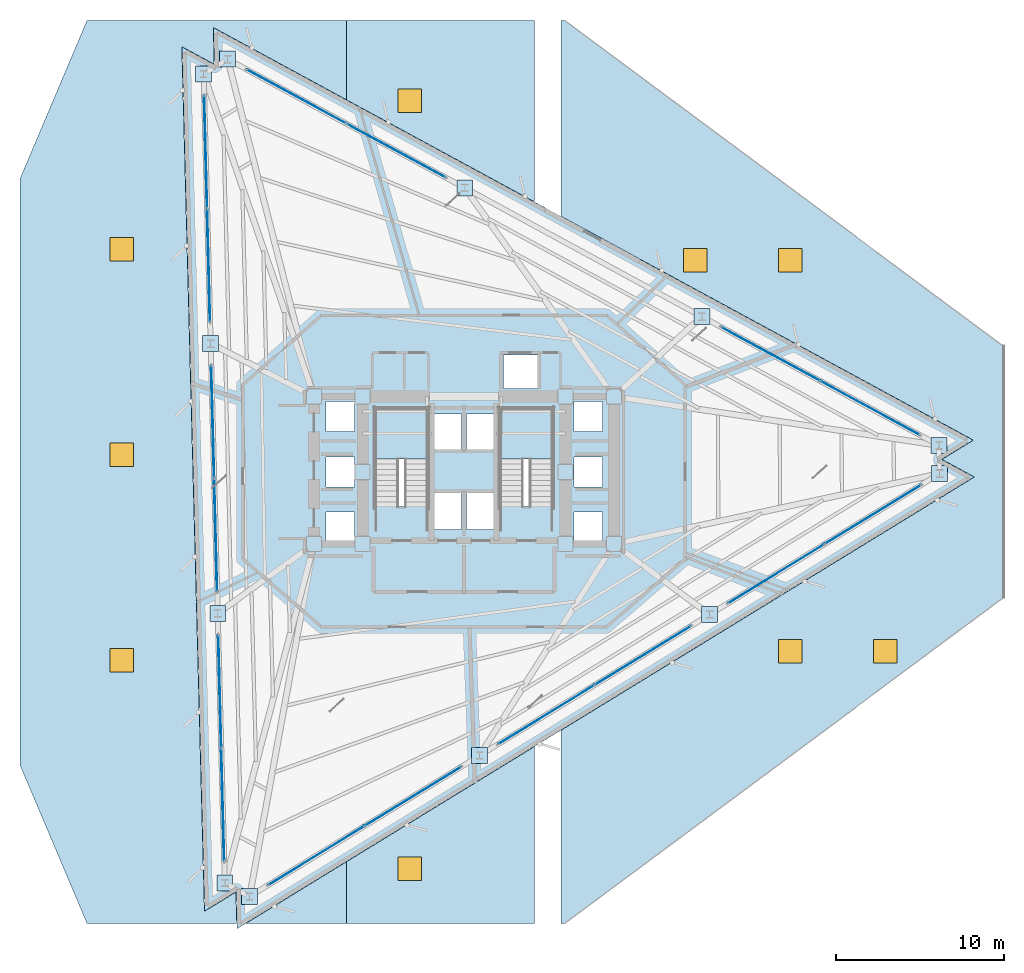
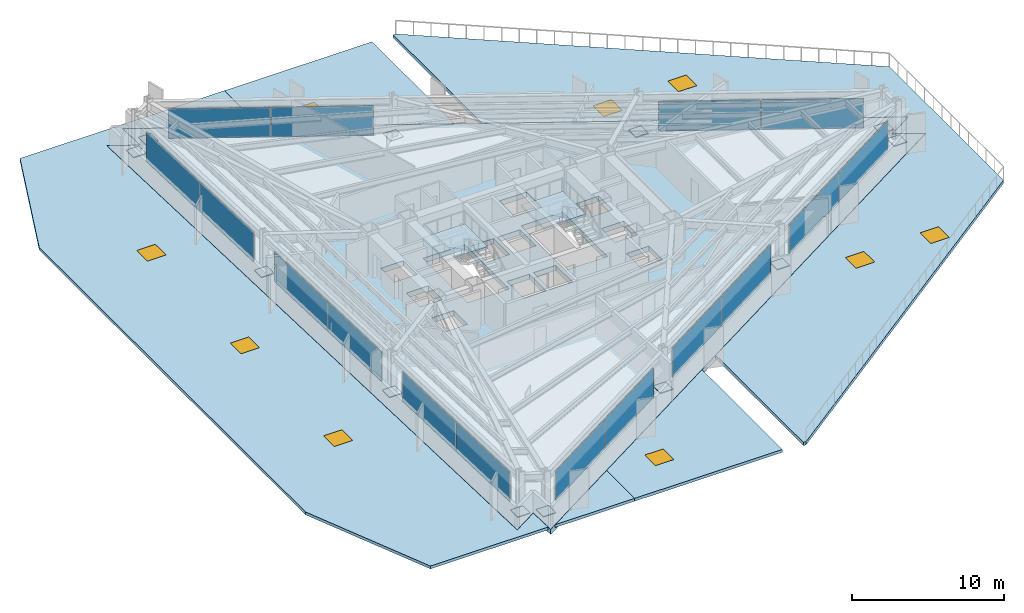
# One storey, part 7 of 13: 28 plates, 9 windows, 8 slabs, 9 openings, 10 elements without a shape of their own.
"""IFC4 building model written with IfcOpenShell, lengths in metres."""

from ifc_helpers import new_model, si_unit, direction, frame, origin, origin_2d, place, context, subcontext, project, spatial, polyline, rectangle, outline, extrude, material, layer, layer_set, type_object, element, fill, aggregate, save


model = new_model("IFC4")

# Units and contexts
model_context = context("Model", 3, precision=1e-05, world=origin(), true_north=direction((0.0, 1.0)))
body_context = subcontext(model_context, "Body", "Model", "MODEL_VIEW")
ifc_project = project(units=[si_unit("LENGTHUNIT", "METRE"), si_unit("AREAUNIT", "SQUARE_METRE"), si_unit("VOLUMEUNIT", "CUBIC_METRE"), si_unit("PLANEANGLEUNIT", "RADIAN"), si_unit("MASSUNIT", "GRAM", prefix="KILO")], contexts=[model_context])

# Site, building, storey
site_placement = place(None, origin())
site = spatial("IfcSite", under=ifc_project, at=site_placement, CompositionType="ELEMENT")
building_placement = place(site_placement, origin())
building = spatial("IfcBuilding", under=site, at=building_placement, Name="Rocaltana Carrier Exchange", CompositionType="ELEMENT")
storey_placement = place(building_placement, frame((0.0, 0.0, 18.8798828125)))
storey = spatial("IfcBuildingStorey", under=building, at=storey_placement, Name="L06", CompositionType="ELEMENT", Elevation=18.8798828125)

# Slab
ifc_material_1 = material(Name="Concrete C60/75", Category="concrete")
ifc_layer_1 = layer(ifc_material_1, 0.419921875)
ifc_layer_set_1 = layer_set([ifc_layer_1], Name="Concrete C60/75")
slab_type_1 = type_object("IfcSlabType", Name="Block Transfer Diaphragm Slab 420", PredefinedType="FLOOR", material=ifc_layer_set_1)
slab_1_placement = place(storey_placement, frame((0.0, 0.0, -0.419921875)))
element("IfcSlab", 1, at=slab_1_placement, inside=storey, type_object=slab_type_1, Name="L06 Structural Floor Slab", PredefinedType="FLOOR", context=body_context, shape_type="SweptSolid", body=[
    extrude(outline(polyline([(30.444580078125, -0.30322265625), (28.51123046875, 0.74658203125), (30.38720703125, 1.89599609375), (-14.959716796875, 26.517578125), (-14.902099609375, 24.318115234375), (-16.835693359375, 25.367919921875), (-15.48486328125, -26.21435546875), (-13.609130859375, -25.064697265625), (-13.551513671875, -27.26416015625), (30.444580078125, -0.30322265625)]), holes=[polyline([(-5.300048828125, -2.06005859375), (-2.139892578125, -2.06005859375), (-2.139892578125, 3.800048828125), (-5.300048828125, 3.800048828125), (-5.300048828125, -2.06005859375)]), polyline([(2.139892578125, -2.06005859375), (5.300048828125, -2.06005859375), (5.300048828125, 3.800048828125), (2.139892578125, 3.800048828125), (2.139892578125, -2.06005859375)]), polyline([(-1.85009765625, -3.449951171875), (-0.14990234375, -3.449951171875), (-0.14990234375, -1.25), (-1.85009765625, -1.25), (-1.85009765625, -3.449951171875)]), polyline([(0.14990234375, -3.449951171875), (1.85009765625, -3.449951171875), (1.85009765625, -1.25), (0.14990234375, -1.25), (0.14990234375, -3.449951171875)]), polyline([(2.35009765625, 4.97998046875), (4.39990234375, 4.97998046875), (4.39990234375, 6.97998046875), (2.35009765625, 6.97998046875), (2.35009765625, 4.97998046875)]), polyline([(-1.85009765625, 1.35009765625), (-0.14990234375, 1.35009765625), (-0.14990234375, 3.449951171875), (-1.85009765625, 3.449951171875), (-1.85009765625, 1.35009765625)]), polyline([(0.14990234375, 1.35009765625), (1.85009765625, 1.35009765625), (1.85009765625, 3.449951171875), (0.14990234375, 3.449951171875), (0.14990234375, 1.35009765625)]), polyline([(-8.25, -4.199951171875), (-6.550048828125, -4.199951171875), (-6.550048828125, -2.39990234375), (-8.25, -2.39990234375), (-8.25, -4.199951171875)]), polyline([(-8.25, -0.89990234375), (-6.550048828125, -0.89990234375), (-6.550048828125, 0.89990234375), (-8.25, 0.89990234375), (-8.25, -0.89990234375)]), polyline([(-8.25, 2.39990234375), (-6.550048828125, 2.39990234375), (-6.550048828125, 4.199951171875), (-8.25, 4.199951171875), (-8.25, 2.39990234375)]), polyline([(6.550048828125, -4.199951171875), (8.25, -4.199951171875), (8.25, -2.39990234375), (6.550048828125, -2.39990234375), (6.550048828125, -4.199951171875)]), polyline([(6.550048828125, -0.89990234375), (8.25, -0.89990234375), (8.25, 0.89990234375), (6.550048828125, 0.89990234375), (6.550048828125, -0.89990234375)]), polyline([(6.550048828125, 2.39990234375), (8.25, 2.39990234375), (8.25, 4.199951171875), (6.550048828125, 4.199951171875), (6.550048828125, 2.39990234375)])]), origin(), (0.0, 0.0, 1.0), 0.419921875),
])

# Curtain wall, plates
ifc_material_2 = material(Name="Aluminium 6063-T6", Category="aluminium")
ifc_layer_2 = layer(ifc_material_2, 0.179931640625)
ifc_layer_set_2 = layer_set([ifc_layer_2], Name="Aluminium 6063-T6")
curtain_wall_type = type_object("IfcCurtainWallType", Name="Sandstone Spandrel Unitised Curtain Wall CW-01", PredefinedType="NOTDEFINED", material=ifc_layer_set_2)
curtain_wall_1_placement = place(storey_placement, origin())
curtain_wall_1 = element("IfcCurtainWall", 2, at=curtain_wall_1_placement, inside=storey, type_object=curtain_wall_type, Name="L06 CW-01 Run CW-L06-F1S1", PredefinedType="NOTDEFINED")
ifc_material_3 = material(Name="Tempered Laminated Glass", Category="glass")
ifc_layer_3 = layer(ifc_material_3, 0.0439453125)
ifc_layer_set_3 = layer_set([ifc_layer_3], Name="Tempered Laminated Glass")
plate_type_1 = type_object("IfcPlateType", Name="CW-01 Stone-Insulated Vision Panel", PredefinedType="CURTAIN_PANEL", material=ifc_layer_set_3)
plate_1_placement = place(storey_placement, frame((24.23974609375, 3.8115234375, 0.06494140625), z_axis=(0.0, 0.0, 1.0), x_axis=(-0.878815639636, 0.477161473226, 0.0)))
plate_1 = element("IfcPlate", 3, at=plate_1_placement, type_object=plate_type_1, Name="CW-01 panel 1.1", PredefinedType="CURTAIN_PANEL", context=body_context, shape_type="SweptSolid", body=[
    extrude(rectangle(XDim=6.702392578125, YDim=0.0439453125, at=origin_2d()), origin(), (0.0, 0.0, 1.0), 2.347900390625),
])
plate_2_placement = place(storey_placement, frame((18.29248046875, 7.04052734375, 0.06494140625), z_axis=(0.0, 0.0, 1.0), x_axis=(-0.878815639636, 0.477161473226, 0.0)))
plate_2 = element("IfcPlate", 4, at=plate_2_placement, type_object=plate_type_1, Name="CW-01 panel 2.1", PredefinedType="CURTAIN_PANEL", context=body_context, shape_type="SweptSolid", body=[
    extrude(rectangle(XDim=6.702392578125, YDim=0.0439453125, at=origin_2d()), origin(), (0.0, 0.0, 1.0), 2.347900390625),
])
aggregate(curtain_wall_1, [plate_1, plate_2])

curtain_wall_2_placement = place(storey_placement, origin())
curtain_wall_2 = element("IfcCurtainWall", 5, at=curtain_wall_2_placement, inside=storey, type_object=curtain_wall_type, Name="L06 CW-01 Run CW-L06-F1S3", PredefinedType="NOTDEFINED")
plate_3_placement = place(storey_placement, frame((-4.05810546875, 19.176025390625, 0.06494140625), z_axis=(0.0, 0.0, 1.0), x_axis=(-0.878818722982, 0.477155794406, 0.0)))
plate_3 = element("IfcPlate", 6, at=plate_3_placement, type_object=plate_type_1, Name="CW-01 panel 1.1", PredefinedType="CURTAIN_PANEL", context=body_context, shape_type="SweptSolid", body=[
    extrude(rectangle(XDim=6.702392578125, YDim=0.0439453125, at=origin_2d()), origin(), (0.0, 0.0, 1.0), 2.347900390625),
])
plate_4_placement = place(storey_placement, frame((-10.00537109375, 22.405029296875, 0.06494140625), z_axis=(0.0, 0.0, 1.0), x_axis=(-0.878818722982, 0.477155794406, 0.0)))
plate_4 = element("IfcPlate", 7, at=plate_4_placement, type_object=plate_type_1, Name="CW-01 panel 2.1", PredefinedType="CURTAIN_PANEL", context=body_context, shape_type="SweptSolid", body=[
    extrude(rectangle(XDim=6.702392578125, YDim=0.0439453125, at=origin_2d()), origin(), (0.0, 0.0, 1.0), 2.347900390625),
])
aggregate(curtain_wall_2, [plate_3, plate_4])

curtain_wall_3_placement = place(storey_placement, origin())
curtain_wall_3 = element("IfcCurtainWall", 8, at=curtain_wall_3_placement, inside=storey, type_object=curtain_wall_type, Name="L06 CW-01 Run CW-L06-F2S1", PredefinedType="NOTDEFINED")
plate_5_placement = place(storey_placement, frame((-15.420654296875, 19.086669921875, 0.06494140625), z_axis=(0.0, 0.0, 1.0), x_axis=(0.026183895077, -0.999657143044, 0.0)))
plate_5 = element("IfcPlate", 9, at=plate_5_placement, type_object=plate_type_1, Name="CW-01 panel 1.1", PredefinedType="CURTAIN_PANEL", context=body_context, shape_type="SweptSolid", body=[
    extrude(rectangle(XDim=6.702392578125, YDim=0.0439453125, at=origin_2d()), origin(), (0.0, 0.0, 1.0), 2.347900390625),
])
plate_6_placement = place(storey_placement, frame((-15.24365234375, 12.321533203125, 0.06494140625), z_axis=(0.0, 0.0, 1.0), x_axis=(0.026183895077, -0.999657143044, 0.0)))
plate_6 = element("IfcPlate", 10, at=plate_6_placement, type_object=plate_type_1, Name="CW-01 panel 2.1", PredefinedType="CURTAIN_PANEL", context=body_context, shape_type="SweptSolid", body=[
    extrude(rectangle(XDim=6.702392578125, YDim=0.0439453125, at=origin_2d()), origin(), (0.0, 0.0, 1.0), 2.347900390625),
])
aggregate(curtain_wall_3, [plate_5, plate_6])

curtain_wall_4_placement = place(storey_placement, origin())
curtain_wall_4 = element("IfcCurtainWall", 11, at=curtain_wall_4_placement, inside=storey, type_object=curtain_wall_type, Name="L06 CW-01 Run CW-L06-F2S2", PredefinedType="NOTDEFINED")
plate_7_placement = place(storey_placement, frame((-14.999267578125, 2.9921875, 0.06494140625), z_axis=(0.0, 0.0, 1.0), x_axis=(0.026176547142, -0.99965733548, 0.0)))
plate_7 = element("IfcPlate", 12, at=plate_7_placement, type_object=plate_type_1, Name="CW-01 panel 1.1", PredefinedType="CURTAIN_PANEL", context=body_context, shape_type="SweptSolid", body=[
    extrude(rectangle(XDim=6.702392578125, YDim=0.0439453125, at=origin_2d()), origin(), (0.0, 0.0, 1.0), 2.347900390625),
])
plate_8_placement = place(storey_placement, frame((-14.822021484375, -3.77294921875, 0.06494140625), z_axis=(0.0, 0.0, 1.0), x_axis=(0.026176547142, -0.99965733548, 0.0)))
plate_8 = element("IfcPlate", 13, at=plate_8_placement, type_object=plate_type_1, Name="CW-01 panel 2.1", PredefinedType="CURTAIN_PANEL", context=body_context, shape_type="SweptSolid", body=[
    extrude(rectangle(XDim=6.702392578125, YDim=0.0439453125, at=origin_2d()), origin(), (0.0, 0.0, 1.0), 2.347900390625),
])
aggregate(curtain_wall_4, [plate_7, plate_8])

curtain_wall_5_placement = place(storey_placement, origin())
curtain_wall_5 = element("IfcCurtainWall", 14, at=curtain_wall_5_placement, inside=storey, type_object=curtain_wall_type, Name="L06 CW-01 Run CW-L06-F2S3", PredefinedType="NOTDEFINED")
plate_9_placement = place(storey_placement, frame((-14.577880859375, -13.102294921875, 0.06494140625), z_axis=(0.0, 0.0, 1.0), x_axis=(0.026183895077, -0.999657143044, 0.0)))
plate_9 = element("IfcPlate", 15, at=plate_9_placement, type_object=plate_type_1, Name="CW-01 panel 1.1", PredefinedType="CURTAIN_PANEL", context=body_context, shape_type="SweptSolid", body=[
    extrude(rectangle(XDim=6.702392578125, YDim=0.0439453125, at=origin_2d()), origin(), (0.0, 0.0, 1.0), 2.347900390625),
])
plate_10_placement = place(storey_placement, frame((-14.400634765625, -19.867431640625, 0.06494140625), z_axis=(0.0, 0.0, 1.0), x_axis=(0.026183895077, -0.999657143044, 0.0)))
plate_10 = element("IfcPlate", 16, at=plate_10_placement, type_object=plate_type_1, Name="CW-01 panel 2.1", PredefinedType="CURTAIN_PANEL", context=body_context, shape_type="SweptSolid", body=[
    extrude(rectangle(XDim=6.702392578125, YDim=0.0439453125, at=origin_2d()), origin(), (0.0, 0.0, 1.0), 2.347900390625),
])
aggregate(curtain_wall_5, [plate_9, plate_10])

curtain_wall_6_placement = place(storey_placement, origin())
curtain_wall_6 = element("IfcCurtainWall", 17, at=curtain_wall_6_placement, inside=storey, type_object=curtain_wall_type, Name="L06 CW-01 Run CW-L06-F3S1", PredefinedType="NOTDEFINED")
plate_11_placement = place(storey_placement, frame((-8.819091796875, -22.898193359375, 0.06494140625), z_axis=(0.0, 0.0, 1.0), x_axis=(0.852636123996, 0.522505157925, 0.0)))
plate_11 = element("IfcPlate", 18, at=plate_11_placement, type_object=plate_type_1, Name="CW-01 panel 1.1", PredefinedType="CURTAIN_PANEL", context=body_context, shape_type="SweptSolid", body=[
    extrude(rectangle(XDim=6.70263671875, YDim=0.0439453125, at=origin_2d()), origin(), (0.0, 0.0, 1.0), 2.347900390625),
])
plate_12_placement = place(storey_placement, frame((-3.048828125, -19.362060546875, 0.06494140625), z_axis=(0.0, 0.0, 1.0), x_axis=(0.852636123996, 0.522505157925, 0.0)))
plate_12 = element("IfcPlate", 19, at=plate_12_placement, type_object=plate_type_1, Name="CW-01 panel 2.1", PredefinedType="CURTAIN_PANEL", context=body_context, shape_type="SweptSolid", body=[
    extrude(rectangle(XDim=6.70263671875, YDim=0.0439453125, at=origin_2d()), origin(), (0.0, 0.0, 1.0), 2.347900390625),
])
aggregate(curtain_wall_6, [plate_11, plate_12])

curtain_wall_7_placement = place(storey_placement, origin())
curtain_wall_7 = element("IfcCurtainWall", 20, at=curtain_wall_7_placement, inside=storey, type_object=curtain_wall_type, Name="L06 CW-01 Run CW-L06-F3S2", PredefinedType="NOTDEFINED")
plate_13_placement = place(storey_placement, frame((4.908447265625, -14.48583984375, 0.06494140625), z_axis=(0.0, 0.0, 1.0), x_axis=(0.852639399762, 0.522499812415, 0.0)))
plate_13 = element("IfcPlate", 21, at=plate_13_placement, type_object=plate_type_1, Name="CW-01 panel 1.1", PredefinedType="CURTAIN_PANEL", context=body_context, shape_type="SweptSolid", body=[
    extrude(rectangle(XDim=6.702392578125, YDim=0.0439453125, at=origin_2d()), origin(), (0.0, 0.0, 1.0), 2.347900390625),
])
plate_14_placement = place(storey_placement, frame((10.678466796875, -10.94970703125, 0.06494140625), z_axis=(0.0, 0.0, 1.0), x_axis=(0.852639399762, 0.522499812415, 0.0)))
plate_14 = element("IfcPlate", 22, at=plate_14_placement, type_object=plate_type_1, Name="CW-01 panel 2.1", PredefinedType="CURTAIN_PANEL", context=body_context, shape_type="SweptSolid", body=[
    extrude(rectangle(XDim=6.702392578125, YDim=0.0439453125, at=origin_2d()), origin(), (0.0, 0.0, 1.0), 2.347900390625),
])
aggregate(curtain_wall_7, [plate_13, plate_14])

curtain_wall_8_placement = place(storey_placement, origin())
curtain_wall_8 = element("IfcCurtainWall", 23, at=curtain_wall_8_placement, inside=storey, type_object=curtain_wall_type, Name="L06 CW-01 Run CW-L06-F3S3", PredefinedType="NOTDEFINED")
plate_15_placement = place(storey_placement, frame((18.6357421875, -6.07373046875, 0.06494140625), z_axis=(0.0, 0.0, 1.0), x_axis=(0.852639399762, 0.522499812415, 0.0)))
plate_15 = element("IfcPlate", 24, at=plate_15_placement, type_object=plate_type_1, Name="CW-01 panel 1.1", PredefinedType="CURTAIN_PANEL", context=body_context, shape_type="SweptSolid", body=[
    extrude(rectangle(XDim=6.702392578125, YDim=0.0439453125, at=origin_2d()), origin(), (0.0, 0.0, 1.0), 2.347900390625),
])
plate_16_placement = place(storey_placement, frame((24.406005859375, -2.53759765625, 0.06494140625), z_axis=(0.0, 0.0, 1.0), x_axis=(0.852639399762, 0.522499812415, 0.0)))
plate_16 = element("IfcPlate", 25, at=plate_16_placement, type_object=plate_type_1, Name="CW-01 panel 2.1", PredefinedType="CURTAIN_PANEL", context=body_context, shape_type="SweptSolid", body=[
    extrude(rectangle(XDim=6.702392578125, YDim=0.0439453125, at=origin_2d()), origin(), (0.0, 0.0, 1.0), 2.347900390625),
])
aggregate(curtain_wall_8, [plate_15, plate_16])

# Plates
ifc_material_4 = material(Name="Steel S460", Category="steel")
ifc_layer_4 = layer(ifc_material_4, 0.0400390625)
ifc_layer_set_4 = layer_set([ifc_layer_4], Name="Steel S460")
plate_type_2 = type_object("IfcPlateType", Name="Column Base Bearing Plate 950x950x40", PredefinedType="SHEET", material=ifc_layer_set_4)
for number, where, z_axis, x_axis, name in (
    (26, (28.340576171875, 1.5849609375, 0.0), (0.0, 0.0, 1.0), (1.0, 0.0, 0.0), "L06 Block Transfer Bearing Plate TC01"),
    (27, (14.191650390625, 9.26708984375, 0.0), (0.0, 0.0, 1.0), (1.0, 0.0, 0.0), "L06 Block Transfer Bearing Plate TC02"),
    (28, (0.042724609375, 16.949462890625, 0.0), (0.0, 0.0, 1.0), (1.0, 0.0, 0.0), "L06 Block Transfer Bearing Plate TC03"),
    (29, (-14.106201171875, 24.631591796875, 0.0), (0.0, 0.0, 1.0), (1.0, 0.0, 0.0), "L06 Block Transfer Bearing Plate TC04"),
    (30, (-15.54296875, 23.751220703125, 0.0), (0.0, 0.0, 1.0), (1.0, 0.0, 0.0), "L06 Block Transfer Bearing Plate TC05"),
    (31, (-15.121337890625, 7.65673828125, 0.0), (0.0, 0.0, 1.0), (1.0, 0.0, 0.0), "L06 Block Transfer Bearing Plate TC06"),
    (32, (-14.699951171875, -8.437744140625, 0.0), (0.0, 0.0, 1.0), (1.0, 0.0, 0.0), "L06 Block Transfer Bearing Plate TC07"),
    (33, (-14.278564453125, -24.5322265625, 0.0), (0.0, 0.0, 1.0), (1.0, 0.0, 0.0), "L06 Block Transfer Bearing Plate TC08"),
    (34, (-12.7978515625, -25.336181640625, 0.0), (0.0, 0.0, 1.0), (1.0, 0.0, 0.0), "L06 Block Transfer Bearing Plate TC09"),
    (35, (0.9296875, -16.923828125, 0.0), (0.0, 0.0, 1.0), (1.0, 0.0, 0.0), "L06 Block Transfer Bearing Plate TC10"),
    (36, (14.6572265625, -8.51171875, 0.0), (0.0, 0.0, 1.0), (1.0, 0.0, 0.0), "L06 Block Transfer Bearing Plate TC11"),
    (37, (28.384765625, -0.099609375, 0.0), (0.0, 0.0, 1.0), (1.0, 0.0, 0.0), "L06 Block Transfer Bearing Plate TC12"),
):
    element("IfcPlate", number, at=place(storey_placement, frame(where, z_axis=z_axis, x_axis=x_axis)), inside=storey, type_object=plate_type_2, Name=name, PredefinedType="SHEET", context=body_context, shape_type="SweptSolid", body=[
        extrude(rectangle(XDim=0.949951171875, YDim=0.949951171875, at=origin_2d()), origin(), (0.0, 0.0, 1.0), 0.0400390625),
    ])

# Slab, openings, windows
ifc_material_5 = material(Name="Concrete C50/60", Category="concrete")
ifc_layer_5 = layer(ifc_material_5, 0.260009765625)
ifc_layer_set_5 = layer_set([ifc_layer_5], Name="Concrete C50/60")
slab_type_2 = type_object("IfcSlabType", Name="Outdoor Terrace Deck Slab 260", PredefinedType="FLOOR", material=ifc_layer_set_5)
slab_2_placement = place(storey_placement, frame((0.0, 0.0, -0.259765625)))
slab_2 = element("IfcSlab", 38, at=slab_2_placement, inside=storey, type_object=slab_type_2, Name="Podium Roof Terrace Slab 1", PredefinedType="FLOOR", context=body_context, shape_type="SweptSolid", body=[
    extrude(outline(polyline([(6.0, 26.949951171875), (32.199951171875, 7.5), (32.199951171875, -7.5), (6.0, -26.949951171875), (5.800048828125, -26.949951171875), (5.800048828125, -15.411376953125), (30.447265625, -0.3076171875), (30.44775390625, -0.30712890625), (30.447998046875, -0.306884765625), (30.448486328125, -0.306396484375), (30.44873046875, -0.30615234375), (30.448974609375, -0.3056640625), (30.44921875, -0.305419921875), (30.449462890625, -0.3046875), (30.44970703125, -0.30419921875), (30.44970703125, -0.3037109375), (30.44970703125, -0.30322265625), (30.44970703125, -0.302734375), (30.44970703125, -0.30224609375), (30.449462890625, -0.3017578125), (30.449462890625, -0.301513671875), (30.44921875, -0.30078125), (30.448974609375, -0.300537109375), (30.448486328125, -0.300048828125), (30.4482421875, -0.2998046875), (30.447998046875, -0.29931640625), (30.447509765625, -0.299072265625), (30.447021484375, -0.298828125), (28.521240234375, 0.746826171875), (30.3896484375, 1.891845703125), (30.39013671875, 1.89208984375), (30.390380859375, 1.892333984375), (30.390869140625, 1.892822265625), (30.39111328125, 1.893310546875), (30.391357421875, 1.8935546875), (30.3916015625, 1.89404296875), (30.391845703125, 1.89453125), (30.39208984375, 1.89501953125), (30.39208984375, 1.8955078125), (30.39208984375, 1.89599609375), (30.39208984375, 1.896484375), (30.39208984375, 1.89697265625), (30.391845703125, 1.8974609375), (30.391845703125, 1.89794921875), (30.3916015625, 1.8984375), (30.391357421875, 1.898681640625), (30.39111328125, 1.899169921875), (30.390625, 1.899658203125), (30.390380859375, 1.89990234375), (30.389892578125, 1.900146484375), (30.389404296875, 1.900390625), (5.800048828125, 15.25146484375), (5.800048828125, 26.949951171875), (6.0, 26.949951171875)])), origin(), (0.0, 0.0, 1.0), 0.259765625),
])
opening_1_placement = place(slab_2_placement, frame((13.80810546875, 12.64404296875, 0.0)))
opening_1 = element("IfcOpeningElement", 39, at=opening_1_placement, cuts=slab_2, Name="Opening SK-01", PredefinedType="OPENING", context=body_context, shape_type="SweptSolid", body=[
    extrude(rectangle(XDim=1.39990234375, YDim=1.39990234375, at=origin_2d()), origin(), (0.0, 0.0, 1.0), 0.259765625),
])
opening_2_placement = place(slab_2_placement, frame((19.471923828125, -10.698974609375, 0.0)))
opening_2 = element("IfcOpeningElement", 40, at=opening_2_placement, cuts=slab_2, Name="Opening SK-01", PredefinedType="OPENING", context=body_context, shape_type="SweptSolid", body=[
    extrude(rectangle(XDim=1.39990234375, YDim=1.39990234375, at=origin_2d()), origin(), (0.0, 0.0, 1.0), 0.259765625),
])
opening_3_placement = place(slab_2_placement, frame((19.471923828125, 12.64404296875, 0.0)))
opening_3 = element("IfcOpeningElement", 41, at=opening_3_placement, cuts=slab_2, Name="Opening SK-01", PredefinedType="OPENING", context=body_context, shape_type="SweptSolid", body=[
    extrude(rectangle(XDim=1.39990234375, YDim=1.39990234375, at=origin_2d()), origin(), (0.0, 0.0, 1.0), 0.259765625),
])
opening_4_placement = place(slab_2_placement, frame((25.135986328125, -10.698974609375, 0.0)))
opening_4 = element("IfcOpeningElement", 42, at=opening_4_placement, cuts=slab_2, Name="Opening SK-01", PredefinedType="OPENING", context=body_context, shape_type="SweptSolid", body=[
    extrude(rectangle(XDim=1.39990234375, YDim=1.39990234375, at=origin_2d()), origin(), (0.0, 0.0, 1.0), 0.259765625),
])
ifc_material_6 = material(Name="Aluminium 6063-T6 & Double Glazing", Category="aluminium")
window_type = type_object("IfcWindowType", Name="Podium Terrace Skylight 1400x1400", PartitioningType="SINGLE_PANEL", PredefinedType="SKYLIGHT", material=ifc_material_6)
window_1_placement = place(opening_1_placement, frame((0.0, 0.0, 0.209716796875)))
window_1 = element("IfcWindow", 43, at=window_1_placement, inside=storey, type_object=window_type, Name="Podium Concourse Skylight SK-01", OverallHeight=1.39990234375, OverallWidth=1.39990234375, PartitioningType="SINGLE_PANEL", PredefinedType="SKYLIGHT", context=body_context, shape_type="SweptSolid", body=[
    extrude(rectangle(XDim=1.39990234375, YDim=1.39990234375, at=origin_2d()), origin(), (0.0, 0.0, 1.0), 0.050048828125),
])
fill(opening_1, window_1)
window_2_placement = place(opening_2_placement, frame((0.0, 0.0, 0.209716796875)))
window_2 = element("IfcWindow", 44, at=window_2_placement, inside=storey, type_object=window_type, Name="Podium Concourse Skylight SK-02", OverallHeight=1.39990234375, OverallWidth=1.39990234375, PartitioningType="SINGLE_PANEL", PredefinedType="SKYLIGHT", context=body_context, shape_type="SweptSolid", body=[
    extrude(rectangle(XDim=1.39990234375, YDim=1.39990234375, at=origin_2d()), origin(), (0.0, 0.0, 1.0), 0.050048828125),
])
fill(opening_2, window_2)
window_3_placement = place(opening_3_placement, frame((0.0, 0.0, 0.209716796875)))
window_3 = element("IfcWindow", 45, at=window_3_placement, inside=storey, type_object=window_type, Name="Podium Concourse Skylight SK-03", OverallHeight=1.39990234375, OverallWidth=1.39990234375, PartitioningType="SINGLE_PANEL", PredefinedType="SKYLIGHT", context=body_context, shape_type="SweptSolid", body=[
    extrude(rectangle(XDim=1.39990234375, YDim=1.39990234375, at=origin_2d()), origin(), (0.0, 0.0, 1.0), 0.050048828125),
])
fill(opening_3, window_3)
window_4_placement = place(opening_4_placement, frame((0.0, 0.0, 0.209716796875)))
window_4 = element("IfcWindow", 46, at=window_4_placement, inside=storey, type_object=window_type, Name="Podium Concourse Skylight SK-04", OverallHeight=1.39990234375, OverallWidth=1.39990234375, PartitioningType="SINGLE_PANEL", PredefinedType="SKYLIGHT", context=body_context, shape_type="SweptSolid", body=[
    extrude(rectangle(XDim=1.39990234375, YDim=1.39990234375, at=origin_2d()), origin(), (0.0, 0.0, 1.0), 0.050048828125),
])
fill(opening_4, window_4)

# Stair, slab
ifc_material_7 = material(Name="Precast concrete C45/55", Category="concrete")
stair_type = type_object("IfcStairType", Name="Standard Dog-Leg Stair 160", PredefinedType="HALF_TURN_STAIR", material=ifc_material_7)
stair_1_placement = place(storey_placement, origin())
stair_1 = element("IfcStair", 47, at=stair_1_placement, inside=storey, type_object=stair_type, Name="L06 Core West Exit Stair ST-1", PredefinedType="HALF_TURN_STAIR")
ifc_material_8 = material(Name="Precast concrete C45/55", Category="concrete")
ifc_layer_6 = layer(ifc_material_8, 0.199951171875)
ifc_layer_set_6 = layer_set([ifc_layer_6], Name="Precast concrete C45/55")
slab_type_3 = type_object("IfcSlabType", Name="Precast Stair Half-Landing 200", PredefinedType="LANDING", material=ifc_layer_set_6)
slab_3_placement = place(storey_placement, frame((0.0, 0.0, 1.480224609375)))
slab_3 = element("IfcSlab", 48, at=slab_3_placement, type_object=slab_type_3, Name="ST-1 landing 1", PredefinedType="LANDING", context=body_context, shape_type="SweptSolid", body=[
    extrude(outline(polyline([(-2.139892578125, 0.780029296875), (-2.139892578125, 3.800048828125), (-5.300048828125, 3.800048828125), (-5.300048828125, 0.780029296875), (-2.139892578125, 0.780029296875)])), origin(), (0.0, 0.0, 1.0), 0.199951171875),
])
aggregate(stair_1, [slab_3])

stair_2_placement = place(storey_placement, origin())
stair_2 = element("IfcStair", 49, at=stair_2_placement, inside=storey, type_object=stair_type, Name="L06 Core East Exit Stair ST-2", PredefinedType="HALF_TURN_STAIR")
slab_4_placement = place(storey_placement, frame((0.0, 0.0, 1.480224609375)))
slab_4 = element("IfcSlab", 50, at=slab_4_placement, type_object=slab_type_3, Name="ST-2 landing 1", PredefinedType="LANDING", context=body_context, shape_type="SweptSolid", body=[
    extrude(outline(polyline([(5.300048828125, 0.780029296875), (5.300048828125, 3.800048828125), (2.139892578125, 3.800048828125), (2.139892578125, 0.780029296875), (5.300048828125, 0.780029296875)])), origin(), (0.0, 0.0, 1.0), 0.199951171875),
])
aggregate(stair_2, [slab_4])

# Slab, openings, windows
ifc_material_9 = material(Name="Concrete C50/60", Category="concrete")
ifc_layer_7 = layer(ifc_material_9, 0.22998046875)
ifc_layer_set_7 = layer_set([ifc_layer_7], Name="Concrete C50/60")
slab_type_4 = type_object("IfcSlabType", Name="Setback Roof Closure Slab 230", PredefinedType="ROOF", material=ifc_layer_set_7)
slab_5_placement = place(storey_placement, frame((0.0, 0.0, -0.22998046875)))
slab_5 = element("IfcSlab", 51, at=slab_5_placement, inside=storey, type_object=slab_type_4, Name="Podium Setback Roof Slab 1", PredefinedType="ROOF", context=body_context, shape_type="SweptSolid", body=[
    extrude(outline(polyline([(-26.5, -17.5), (-26.5, 17.5), (-22.5, 26.949951171875), (-7.0, 26.949951171875), (-7.0, 22.201416015625), (-14.95751953125, 26.52197265625), (-14.9580078125, 26.522216796875), (-14.958251953125, 26.522216796875), (-14.958740234375, 26.5224609375), (-14.959228515625, 26.5224609375), (-14.959716796875, 26.5224609375), (-14.960205078125, 26.5224609375), (-14.960693359375, 26.5224609375), (-14.961181640625, 26.522216796875), (-14.961669921875, 26.522216796875), (-14.962158203125, 26.52197265625), (-14.962646484375, 26.521484375), (-14.962890625, 26.521240234375), (-14.96337890625, 26.52099609375), (-14.963623046875, 26.5205078125), (-14.964111328125, 26.520263671875), (-14.96435546875, 26.519775390625), (-14.964599609375, 26.519287109375), (-14.964599609375, 26.518798828125), (-14.964599609375, 26.518310546875), (-14.96484375, 26.517822265625), (-14.96484375, 26.517333984375), (-14.907470703125, 24.32666015625), (-16.833251953125, 25.372314453125), (-16.833740234375, 25.37255859375), (-16.833984375, 25.372802734375), (-16.834716796875, 25.372802734375), (-16.835205078125, 25.373046875), (-16.835693359375, 25.373046875), (-16.836181640625, 25.373046875), (-16.836669921875, 25.372802734375), (-16.837158203125, 25.372802734375), (-16.83740234375, 25.37255859375), (-16.837890625, 25.372314453125), (-16.83837890625, 25.3720703125), (-16.8388671875, 25.371826171875), (-16.839111328125, 25.37158203125), (-16.839599609375, 25.37109375), (-16.83984375, 25.37060546875), (-16.840087890625, 25.370361328125), (-16.84033203125, 25.369873046875), (-16.84033203125, 25.369384765625), (-16.840576171875, 25.368896484375), (-16.840576171875, 25.368408203125), (-16.840576171875, 25.367919921875), (-15.489990234375, -26.21435546875), (-15.489990234375, -26.21484375), (-15.48974609375, -26.21533203125), (-15.489501953125, -26.2158203125), (-15.489501953125, -26.21630859375), (-15.4892578125, -26.216796875), (-15.489013671875, -26.21728515625), (-15.488525390625, -26.217529296875), (-15.48828125, -26.218017578125), (-15.48779296875, -26.21826171875), (-15.487548828125, -26.218505859375), (-15.487060546875, -26.21875), (-15.486572265625, -26.218994140625), (-15.486083984375, -26.218994140625), (-15.485595703125, -26.21923828125), (-15.485107421875, -26.21923828125), (-15.484619140625, -26.21923828125), (-15.484130859375, -26.21923828125), (-15.483642578125, -26.218994140625), (-15.483154296875, -26.218994140625), (-15.482666015625, -26.21875), (-15.482421875, -26.218505859375), (-13.614013671875, -25.073486328125), (-13.564697265625, -26.949951171875), (-22.5, -26.949951171875), (-26.5, -17.5)])), origin(), (0.0, 0.0, 1.0), 0.22998046875),
])
opening_5_placement = place(slab_5_placement, frame((-20.424072265625, -11.241943359375, 0.0)))
opening_5 = element("IfcOpeningElement", 52, at=opening_5_placement, cuts=slab_5, Name="Opening SK-01", PredefinedType="OPENING", context=body_context, shape_type="SweptSolid", body=[
    extrude(rectangle(XDim=1.39990234375, YDim=1.39990234375, at=origin_2d()), origin(), (0.0, 0.0, 1.0), 0.22998046875),
])
opening_6_placement = place(slab_5_placement, frame((-20.424072265625, 1.02197265625, 0.0)))
opening_6 = element("IfcOpeningElement", 53, at=opening_6_placement, cuts=slab_5, Name="Opening SK-01", PredefinedType="OPENING", context=body_context, shape_type="SweptSolid", body=[
    extrude(rectangle(XDim=1.39990234375, YDim=1.39990234375, at=origin_2d()), origin(), (0.0, 0.0, 1.0), 0.22998046875),
])
opening_7_placement = place(slab_5_placement, frame((-20.424072265625, 13.285888671875, 0.0)))
opening_7 = element("IfcOpeningElement", 54, at=opening_7_placement, cuts=slab_5, Name="Opening SK-01", PredefinedType="OPENING", context=body_context, shape_type="SweptSolid", body=[
    extrude(rectangle(XDim=1.39990234375, YDim=1.39990234375, at=origin_2d()), origin(), (0.0, 0.0, 1.0), 0.22998046875),
])
window_5_placement = place(opening_5_placement, frame((0.0, 0.0, 0.179931640625)))
window_5 = element("IfcWindow", 55, at=window_5_placement, inside=storey, type_object=window_type, Name="Podium Concourse Skylight SK-05", OverallHeight=1.39990234375, OverallWidth=1.39990234375, PartitioningType="SINGLE_PANEL", PredefinedType="SKYLIGHT", context=body_context, shape_type="SweptSolid", body=[
    extrude(rectangle(XDim=1.39990234375, YDim=1.39990234375, at=origin_2d()), origin(), (0.0, 0.0, 1.0), 0.050048828125),
])
fill(opening_5, window_5)
window_6_placement = place(opening_6_placement, frame((0.0, 0.0, 0.179931640625)))
window_6 = element("IfcWindow", 56, at=window_6_placement, inside=storey, type_object=window_type, Name="Podium Concourse Skylight SK-06", OverallHeight=1.39990234375, OverallWidth=1.39990234375, PartitioningType="SINGLE_PANEL", PredefinedType="SKYLIGHT", context=body_context, shape_type="SweptSolid", body=[
    extrude(rectangle(XDim=1.39990234375, YDim=1.39990234375, at=origin_2d()), origin(), (0.0, 0.0, 1.0), 0.050048828125),
])
fill(opening_6, window_6)
window_7_placement = place(opening_7_placement, frame((0.0, 0.0, 0.179931640625)))
window_7 = element("IfcWindow", 57, at=window_7_placement, inside=storey, type_object=window_type, Name="Podium Concourse Skylight SK-07", OverallHeight=1.39990234375, OverallWidth=1.39990234375, PartitioningType="SINGLE_PANEL", PredefinedType="SKYLIGHT", context=body_context, shape_type="SweptSolid", body=[
    extrude(rectangle(XDim=1.39990234375, YDim=1.39990234375, at=origin_2d()), origin(), (0.0, 0.0, 1.0), 0.050048828125),
])
fill(opening_7, window_7)

# Slab
slab_6_placement = place(storey_placement, frame((0.0, 0.0, -0.22998046875)))
element("IfcSlab", 58, at=slab_6_placement, inside=storey, type_object=slab_type_4, Name="Podium Setback Roof Slab 2", PredefinedType="ROOF", context=body_context, shape_type="SweptSolid", body=[
    extrude(outline(polyline([(-13.029296875, -26.949951171875), (-7.0, -23.255126953125), (-7.0, -26.949951171875), (-13.029296875, -26.949951171875)])), origin(), (0.0, 0.0, 1.0), 0.22998046875),
])

# Slab, opening, window
slab_7_placement = place(storey_placement, frame((0.0, 0.0, -0.22998046875)))
slab_7 = element("IfcSlab", 59, at=slab_7_placement, inside=storey, type_object=slab_type_4, Name="Podium Setback Roof Slab 3", PredefinedType="ROOF", context=body_context, shape_type="SweptSolid", body=[
    extrude(outline(polyline([(4.199951171875, 26.949951171875), (4.199951171875, 16.1201171875), (-7.0, 22.201416015625), (-7.0, 26.949951171875), (4.199951171875, 26.949951171875)])), origin(), (0.0, 0.0, 1.0), 0.22998046875),
])
opening_8_placement = place(slab_7_placement, frame((-3.248046875, 22.153076171875, 0.0)))
opening_8 = element("IfcOpeningElement", 60, at=opening_8_placement, cuts=slab_7, Name="Opening SK-01", PredefinedType="OPENING", context=body_context, shape_type="SweptSolid", body=[
    extrude(rectangle(XDim=1.39990234375, YDim=1.39990234375, at=origin_2d()), origin(), (0.0, 0.0, 1.0), 0.22998046875),
])
window_8_placement = place(opening_8_placement, frame((0.0, 0.0, 0.179931640625)))
window_8 = element("IfcWindow", 61, at=window_8_placement, inside=storey, type_object=window_type, Name="Podium Concourse Skylight SK-08", OverallHeight=1.39990234375, OverallWidth=1.39990234375, PartitioningType="SINGLE_PANEL", PredefinedType="SKYLIGHT", context=body_context, shape_type="SweptSolid", body=[
    extrude(rectangle(XDim=1.39990234375, YDim=1.39990234375, at=origin_2d()), origin(), (0.0, 0.0, 1.0), 0.050048828125),
])
fill(opening_8, window_8)

slab_8_placement = place(storey_placement, frame((0.0, 0.0, -0.22998046875)))
slab_8 = element("IfcSlab", 62, at=slab_8_placement, inside=storey, type_object=slab_type_4, Name="Podium Setback Roof Slab 4", PredefinedType="ROOF", context=body_context, shape_type="SweptSolid", body=[
    extrude(outline(polyline([(-7.0, -26.949951171875), (-7.0, -23.255126953125), (4.199951171875, -16.391845703125), (4.199951171875, -26.949951171875), (-7.0, -26.949951171875)])), origin(), (0.0, 0.0, 1.0), 0.22998046875),
])
opening_9_placement = place(slab_8_placement, frame((-3.248046875, -23.68603515625, 0.0)))
opening_9 = element("IfcOpeningElement", 63, at=opening_9_placement, cuts=slab_8, Name="Opening SK-01", PredefinedType="OPENING", context=body_context, shape_type="SweptSolid", body=[
    extrude(rectangle(XDim=1.39990234375, YDim=1.39990234375, at=origin_2d()), origin(), (0.0, 0.0, 1.0), 0.22998046875),
])
window_9_placement = place(opening_9_placement, frame((0.0, 0.0, 0.179931640625)))
window_9 = element("IfcWindow", 64, at=window_9_placement, inside=storey, type_object=window_type, Name="Podium Concourse Skylight SK-09", OverallHeight=1.39990234375, OverallWidth=1.39990234375, PartitioningType="SINGLE_PANEL", PredefinedType="SKYLIGHT", context=body_context, shape_type="SweptSolid", body=[
    extrude(rectangle(XDim=1.39990234375, YDim=1.39990234375, at=origin_2d()), origin(), (0.0, 0.0, 1.0), 0.050048828125),
])
fill(opening_9, window_9)

save(model, "model.ifc")
